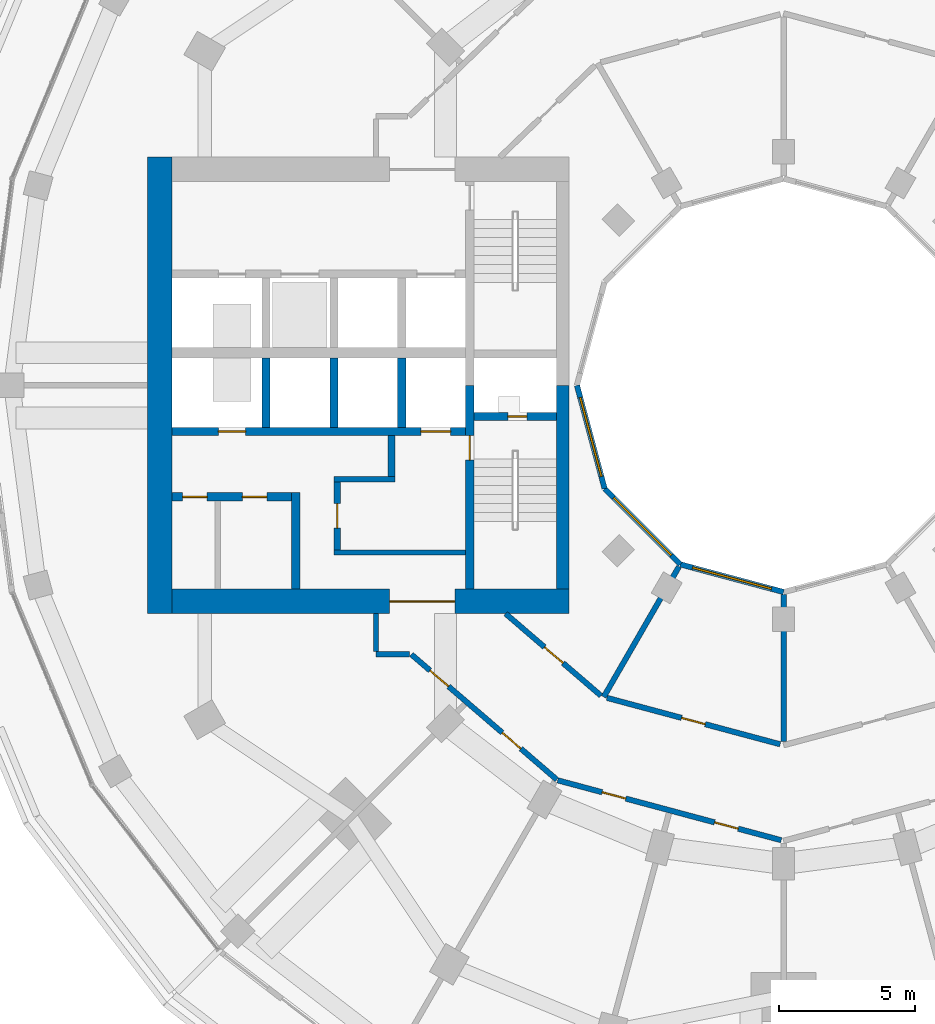
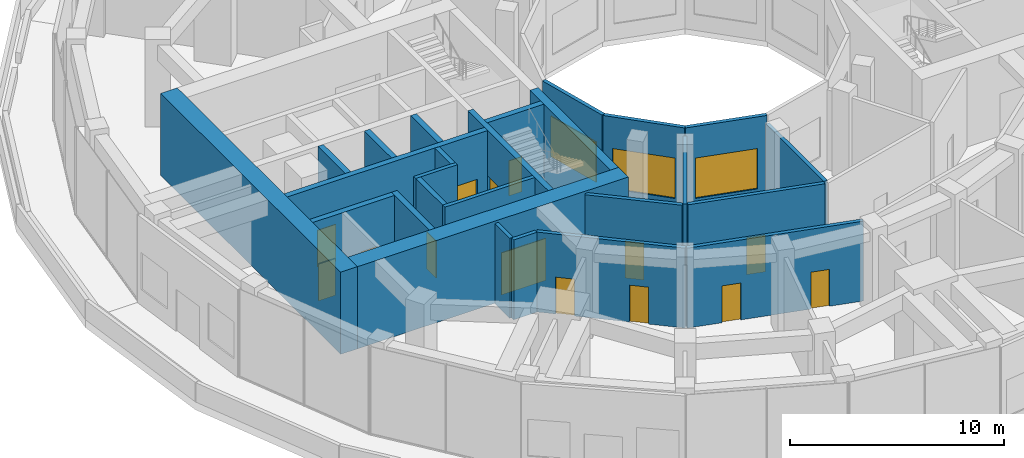
# One storey, part 12 of 19: 26 walls, 14 doors, 3 windows, 17 openings.
"""IFC4 building model written with IfcOpenShell, lengths in metres."""

from ifc_helpers import new_model, si_unit, direction, frame, frame_2d, origin, place, context, subcontext, project, spatial, rectangle, extrude, material, layer, layer_set, type_object, element, fill, save


model = new_model("IFC4")

# Units and contexts
model_context = context("Model", 3, precision=1e-05, world=origin(), true_north=direction((0.0, 1.0)))
body_context = subcontext(model_context, "Body", "Model", "MODEL_VIEW")
ifc_project = project(units=[si_unit("LENGTHUNIT", "METRE"), si_unit("AREAUNIT", "SQUARE_METRE"), si_unit("VOLUMEUNIT", "CUBIC_METRE"), si_unit("PLANEANGLEUNIT", "RADIAN"), si_unit("MASSUNIT", "GRAM", prefix="KILO")], contexts=[model_context])

# Site, building, storey
site_placement = place(None, origin())
site = spatial("IfcSite", under=ifc_project, at=site_placement, CompositionType="ELEMENT")
building_placement = place(site_placement, origin())
building = spatial("IfcBuilding", under=site, at=building_placement, Name="Torre Brocal", CompositionType="ELEMENT")
storey_placement = place(building_placement, frame((0.0, 0.0, 23.800048828125)))
storey = spatial("IfcBuildingStorey", under=building, at=storey_placement, Name="L04", CompositionType="ELEMENT", Elevation=23.800048828125)

# Walls
ifc_material_1 = material(Name="Concrete C80", Category="concrete")
ifc_layer_1 = layer(ifc_material_1, 0.199951171875)
ifc_layer_set_1 = layer_set([ifc_layer_1], Name="Concrete C80")
wall_type_1 = type_object("IfcWallType", Name="CORE WALL 200 C80", PredefinedType="SHEAR", material=ifc_layer_set_1)
wall_1_placement = place(storey_placement, frame((68.300048828125, 68.85009765625, 0.0), z_axis=(0.0, 0.0, 1.0), x_axis=(-1.0, 0.0, 0.0)))
element("IfcWall", 1, at=wall_1_placement, inside=storey, type_object=wall_type_1, Name="Wall CW200-80", PredefinedType="SHEAR", context=body_context, shape_type="SweptSolid", body=[
    extrude(rectangle(XDim=4.85009765625, YDim=0.199951171875, at=frame_2d((2.425048828125, 0.0))), origin(), (0.0, 0.0, 1.0), 4.679931640625),
])
wall_2_placement = place(storey_placement, frame((65.699951171875, 71.550048828125, 0.0), z_axis=(0.0, 0.0, 1.0), x_axis=(-1.0, 0.0, 0.0)))
element("IfcWall", 2, at=wall_2_placement, inside=storey, type_object=wall_type_1, Name="Wall CW200-80", PredefinedType="SHEAR", context=body_context, shape_type="SweptSolid", body=[
    extrude(rectangle(XDim=2.25, YDim=0.199951171875, at=frame_2d((1.125, 0.0))), origin(), (0.0, 0.0, 1.0), 4.679931640625),
])

# Wall, opening, door
ifc_material_2 = material(Name="Concrete C80", Category="concrete")
ifc_layer_2 = layer(ifc_material_2, 0.25)
ifc_layer_set_2 = layer_set([ifc_layer_2], Name="Concrete C80")
wall_type_2 = type_object("IfcWallType", Name="CORE WALL 250 C80", PredefinedType="SHEAR", material=ifc_layer_set_2)
wall_3_placement = place(storey_placement, frame((63.574951171875, 71.449951171875, 0.0), z_axis=(0.0, 0.0, 1.0), x_axis=(0.0, -1.0, 0.0)))
wall_3 = element("IfcWall", 3, at=wall_3_placement, inside=storey, type_object=wall_type_2, Name="Wall CW250-80", PredefinedType="SHEAR", context=body_context, shape_type="SweptSolid", body=[
    extrude(rectangle(XDim=2.5, YDim=0.25, at=frame_2d((1.25, 0.0))), origin(), (0.0, 0.0, 1.0), 4.679931640625),
])
opening_1_placement = place(wall_3_placement, frame((0.800048828125, 0.0, 0.0)))
opening_1 = element("IfcOpeningElement", 4, at=opening_1_placement, cuts=wall_3, Name="Opening W-D15", PredefinedType="OPENING", context=body_context, shape_type="SweptSolid", body=[
    extrude(rectangle(XDim=0.89990234375, YDim=2.10009765625, at=frame_2d((0.449951171875, 1.050048828125))), frame((0.0, 0.135009765625, 0.0), z_axis=(0.0, -1.0, 0.0), x_axis=(1.0, 0.0, 0.0)), (0.0, 0.0, 1.0), 0.27001953125),
])
ifc_material_3 = material(Name="Steel A653", Category="steel")
door_type_1 = type_object("IfcDoorType", Name="LOBBY DOOR FD120 900X2100", OperationType="SINGLE_SWING_RIGHT", PredefinedType="DOOR", material=ifc_material_3)
door_1_placement = place(opening_1_placement, origin())
door_1 = element("IfcDoor", 5, at=door_1_placement, inside=storey, type_object=door_type_1, Name="Door W-D15", OperationType="SINGLE_SWING_LEFT", OverallHeight=2.10009765625, OverallWidth=0.89990234375, PredefinedType="DOOR", context=body_context, shape_type="SweptSolid", body=[
    extrude(rectangle(XDim=0.89990234375, YDim=2.10009765625, at=frame_2d((0.449951171875, 1.050048828125))), frame((0.0, 0.02490234375, 0.0), z_axis=(0.0, -1.0, 0.0), x_axis=(1.0, 0.0, 0.0)), (0.0, 0.0, 1.0), 0.050048828125),
])
fill(opening_1, door_1)

# Wall
wall_4_placement = place(storey_placement, frame((65.574951171875, 73.14990234375, 0.0), z_axis=(0.0, 0.0, 1.0), x_axis=(0.0, -1.0, 0.0)))
element("IfcWall", 6, at=wall_4_placement, inside=storey, type_object=wall_type_2, Name="Wall CW250-80", PredefinedType="SHEAR", context=body_context, shape_type="SweptSolid", body=[
    extrude(rectangle(XDim=1.5, YDim=0.25, at=frame_2d((0.75, 0.0))), origin(), (0.0, 0.0, 1.0), 4.679931640625),
])

# Wall, opening, door
ifc_material_4 = material(Name="Concrete C80", Category="concrete")
ifc_layer_3 = layer(ifc_material_4, 0.300048828125)
ifc_layer_set_3 = layer_set([ifc_layer_3], Name="Concrete C80")
wall_type_3 = type_object("IfcWallType", Name="CORE WALL 300 C80", PredefinedType="SHEAR", material=ifc_layer_set_3)
wall_5_placement = place(storey_placement, frame((68.449951171875, 75.0, 0.0), z_axis=(0.0, 0.0, 1.0), x_axis=(0.0, -1.0, 0.0)))
wall_5 = element("IfcWall", 7, at=wall_5_placement, inside=storey, type_object=wall_type_3, Name="Wall CW300-80", PredefinedType="SHEAR", context=body_context, shape_type="SweptSolid", body=[
    extrude(rectangle(XDim=7.5, YDim=0.300048828125, at=frame_2d((3.75, 0.0))), origin(), (0.0, 0.0, 1.0), 4.679931640625),
])
opening_2_placement = place(wall_5_placement, frame((1.85009765625, 0.0, 0.0)))
opening_2 = element("IfcOpeningElement", 8, at=opening_2_placement, cuts=wall_5, Name="Opening W-D02", PredefinedType="OPENING", context=body_context, shape_type="SweptSolid", body=[
    extrude(rectangle(XDim=0.89990234375, YDim=2.10009765625, at=frame_2d((0.449951171875, 1.050048828125))), frame((0.0, 0.159912109375, 0.0), z_axis=(0.0, -1.0, 0.0), x_axis=(1.0, 0.0, 0.0)), (0.0, 0.0, 1.0), 0.320068359375),
])
ifc_material_5 = material(Name="Steel A653", Category="steel")
door_type_2 = type_object("IfcDoorType", Name="STAIR DOOR FD120 900X2100", OperationType="SINGLE_SWING_RIGHT", PredefinedType="DOOR", material=ifc_material_5)
door_2_placement = place(opening_2_placement, origin())
door_2 = element("IfcDoor", 9, at=door_2_placement, inside=storey, type_object=door_type_2, Name="Door W-D02", OperationType="SINGLE_SWING_LEFT", OverallHeight=2.10009765625, OverallWidth=0.89990234375, PredefinedType="DOOR", context=body_context, shape_type="SweptSolid", body=[
    extrude(rectangle(XDim=0.89990234375, YDim=2.10009765625, at=frame_2d((0.449951171875, 1.050048828125))), frame((0.0, 0.02490234375, 0.0), z_axis=(0.0, -1.0, 0.0), x_axis=(1.0, 0.0, 0.0)), (0.0, 0.0, 1.0), 0.050048828125),
])
fill(opening_2, door_2)

wall_6_placement = place(storey_placement, frame((71.64990234375, 73.85009765625, 0.0), z_axis=(0.0, 0.0, 1.0), x_axis=(-1.0, 0.0, 0.0)))
wall_6 = element("IfcWall", 10, at=wall_6_placement, inside=storey, type_object=wall_type_3, Name="Wall CW300-80", PredefinedType="SHEAR", context=body_context, shape_type="SweptSolid", body=[
    extrude(rectangle(XDim=3.0498046875, YDim=0.300048828125, at=frame_2d((1.52490234375, 0.0))), origin(), (0.0, 0.0, 1.0), 4.679931640625),
])
opening_3_placement = place(wall_6_placement, frame((1.10009765625, 0.0, 0.0)))
opening_3 = element("IfcOpeningElement", 11, at=opening_3_placement, cuts=wall_6, Name="Opening W-D01", PredefinedType="OPENING", context=body_context, shape_type="SweptSolid", body=[
    extrude(rectangle(XDim=0.699951171875, YDim=2.0, at=frame_2d((0.35009765625, 1.0))), frame((0.0, 0.159912109375, 0.0), z_axis=(0.0, -1.0, 0.0), x_axis=(1.0, 0.0, 0.0)), (0.0, 0.0, 1.0), 0.320068359375),
])
ifc_material_6 = material(Name="Steel A653", Category="steel")
door_type_3 = type_object("IfcDoorType", Name="RISER DOOR FD120 700X2000", OperationType="SINGLE_SWING_LEFT", PredefinedType="DOOR", material=ifc_material_6)
door_3_placement = place(opening_3_placement, frame((0.699951171875, 0.0, 0.0), z_axis=(0.0, 0.0, 1.0), x_axis=(-1.0, 0.0, 0.0)))
door_3 = element("IfcDoor", 12, at=door_3_placement, inside=storey, type_object=door_type_3, Name="Door W-D01", OperationType="SINGLE_SWING_RIGHT", OverallHeight=2.0, OverallWidth=0.699951171875, PredefinedType="DOOR", context=body_context, shape_type="SweptSolid", body=[
    extrude(rectangle(XDim=0.699951171875, YDim=2.0, at=frame_2d((0.35009765625, 1.0))), frame((0.0, 0.02490234375, 0.0), z_axis=(0.0, -1.0, 0.0), x_axis=(1.0, 0.0, 0.0)), (0.0, 0.0, 1.0), 0.050048828125),
])
fill(opening_3, door_3)

# Wall, openings, doors
wall_7_placement = place(storey_placement, frame((68.300048828125, 73.300048828125, 0.0), z_axis=(0.0, 0.0, 1.0), x_axis=(-1.0, 0.0, 0.0)))
wall_7 = element("IfcWall", 13, at=wall_7_placement, inside=storey, type_object=wall_type_3, Name="Wall CW300-80", PredefinedType="SHEAR", context=body_context, shape_type="SweptSolid", body=[
    extrude(rectangle(XDim=10.800048828125, YDim=0.300048828125, at=frame_2d((5.39990234375, 0.0))), origin(), (0.0, 0.0, 1.0), 4.679931640625),
])
opening_4_placement = place(wall_7_placement, frame((0.550048828125, 0.0, 0.0)))
opening_4 = element("IfcOpeningElement", 14, at=opening_4_placement, cuts=wall_7, Name="Opening LD", PredefinedType="OPENING", context=body_context, shape_type="SweptSolid", body=[
    extrude(rectangle(XDim=1.10009765625, YDim=2.10009765625, at=frame_2d((0.550048828125, 1.050048828125))), frame((0.0, 0.159912109375, 0.0), z_axis=(0.0, -1.0, 0.0), x_axis=(1.0, 0.0, 0.0)), (0.0, 0.0, 1.0), 0.320068359375),
])
opening_5_placement = place(wall_7_placement, frame((8.10009765625, 0.0, 0.0)))
opening_5 = element("IfcOpeningElement", 15, at=opening_5_placement, cuts=wall_7, Name="Opening LD10", PredefinedType="OPENING", context=body_context, shape_type="SweptSolid", body=[
    extrude(rectangle(XDim=1.0, YDim=2.10009765625, at=frame_2d((0.5, 1.050048828125))), frame((0.0, 0.159912109375, 0.0), z_axis=(0.0, -1.0, 0.0), x_axis=(1.0, 0.0, 0.0)), (0.0, 0.0, 1.0), 0.320068359375),
])
ifc_material_7 = material(Name="Stainless steel AISI 316", Category="steel")
door_type_4 = type_object("IfcDoorType", Name="LIFT LANDING DOOR 1000X2100", OperationType="DOUBLE_DOOR_SLIDING", PredefinedType="DOOR", material=ifc_material_7)
door_4_placement = place(opening_5_placement, origin())
door_4 = element("IfcDoor", 16, at=door_4_placement, inside=storey, type_object=door_type_4, Name="Door LD10", OperationType="DOUBLE_DOOR_SLIDING", OverallHeight=2.10009765625, OverallWidth=1.0, PredefinedType="DOOR", context=body_context, shape_type="SweptSolid", body=[
    extrude(rectangle(XDim=1.0, YDim=2.10009765625, at=frame_2d((0.5, 1.050048828125))), frame((0.0, 0.02490234375, 0.0), z_axis=(0.0, -1.0, 0.0), x_axis=(1.0, 0.0, 0.0)), (0.0, 0.0, 1.0), 0.050048828125),
])
fill(opening_5, door_4)
ifc_material_8 = material(Name="Stainless steel AISI 316", Category="steel")
door_type_5 = type_object("IfcDoorType", Name="LIFT LANDING DOOR 1100X2100", OperationType="DOUBLE_DOOR_SLIDING", PredefinedType="DOOR", material=ifc_material_8)
door_5_placement = place(opening_4_placement, origin())
door_5 = element("IfcDoor", 17, at=door_5_placement, inside=storey, type_object=door_type_5, Name="Door LD", OperationType="DOUBLE_DOOR_SLIDING", OverallHeight=2.10009765625, OverallWidth=1.10009765625, PredefinedType="DOOR", context=body_context, shape_type="SweptSolid", body=[
    extrude(rectangle(XDim=1.10009765625, YDim=2.10009765625, at=frame_2d((0.550048828125, 1.050048828125))), frame((0.0, 0.02490234375, 0.0), z_axis=(0.0, -1.0, 0.0), x_axis=(1.0, 0.0, 0.0)), (0.0, 0.0, 1.0), 0.050048828125),
])
fill(opening_4, door_5)

# Walls
for number, where, z_axis, x_axis, name in (
    (18, (65.949951171875, 76.0, 0.0), (0.0, 0.0, 1.0), (0.0, -1.0, 0.0), "Wall CW300-80"),
    (19, (63.449951171875, 76.0, 0.0), (0.0, 0.0, 1.0), (0.0, -1.0, 0.0), "Wall CW300-80"),
    (20, (60.949951171875, 76.0, 0.0), (0.0, 0.0, 1.0), (0.0, -1.0, 0.0), "Wall CW300-80"),
):
    element("IfcWall", number, at=place(storey_placement, frame(where, z_axis=z_axis, x_axis=x_axis)), inside=storey, type_object=wall_type_3, Name=name, PredefinedType="SHEAR", context=body_context, shape_type="SweptSolid", body=[
        extrude(rectangle(XDim=2.550048828125, YDim=0.300048828125, at=frame_2d((1.27490234375, 0.0))), origin(), (0.0, 0.0, 1.0), 4.679931640625),
    ])
wall_8_placement = place(storey_placement, frame((62.050048828125, 71.050048828125, 0.0), z_axis=(0.0, 0.0, 1.0), x_axis=(0.0, -1.0, 0.0)))
element("IfcWall", 21, at=wall_8_placement, inside=storey, type_object=wall_type_3, Name="Wall CW300-80", PredefinedType="SHEAR", context=body_context, shape_type="SweptSolid", body=[
    extrude(rectangle(XDim=3.550048828125, YDim=0.300048828125, at=frame_2d((1.77490234375, 0.0))), origin(), (0.0, 0.0, 1.0), 4.679931640625),
])

# Wall, openings, doors
wall_9_placement = place(storey_placement, frame((61.89990234375, 70.89990234375, 0.0), z_axis=(0.0, 0.0, 1.0), x_axis=(-1.0, 0.0, 0.0)))
wall_9 = element("IfcWall", 22, at=wall_9_placement, inside=storey, type_object=wall_type_3, Name="Wall CW300-80", PredefinedType="SHEAR", context=body_context, shape_type="SweptSolid", body=[
    extrude(rectangle(XDim=4.39990234375, YDim=0.300048828125, at=frame_2d((2.199951171875, 0.0))), origin(), (0.0, 0.0, 1.0), 4.679931640625),
])
opening_6_placement = place(wall_9_placement, frame((0.9140625, 0.0, 0.0)))
opening_6 = element("IfcOpeningElement", 23, at=opening_6_placement, cuts=wall_9, Name="Opening W-D05", PredefinedType="OPENING", context=body_context, shape_type="SweptSolid", body=[
    extrude(rectangle(XDim=0.89990234375, YDim=2.10009765625, at=frame_2d((0.449951171875, 1.050048828125))), frame((0.0, 0.159912109375, 0.0), z_axis=(0.0, -1.0, 0.0), x_axis=(1.0, 0.0, 0.0)), (0.0, 0.0, 1.0), 0.320068359375),
])
opening_7_placement = place(wall_9_placement, frame((3.114013671875, 0.0, 0.0)))
opening_7 = element("IfcOpeningElement", 24, at=opening_7_placement, cuts=wall_9, Name="Opening W-D06", PredefinedType="OPENING", context=body_context, shape_type="SweptSolid", body=[
    extrude(rectangle(XDim=0.89990234375, YDim=2.10009765625, at=frame_2d((0.449951171875, 1.050048828125))), frame((0.0, 0.159912109375, 0.0), z_axis=(0.0, -1.0, 0.0), x_axis=(1.0, 0.0, 0.0)), (0.0, 0.0, 1.0), 0.320068359375),
])
ifc_material_9 = material(Name="Steel A653", Category="steel")
door_type_6 = type_object("IfcDoorType", Name="ROOM DOOR FD30S 900X2100", OperationType="SINGLE_SWING_LEFT", PredefinedType="DOOR", material=ifc_material_9)
door_6_placement = place(opening_6_placement, origin())
door_6 = element("IfcDoor", 25, at=door_6_placement, inside=storey, type_object=door_type_6, Name="Door W-D05", OperationType="SINGLE_SWING_RIGHT", OverallHeight=2.10009765625, OverallWidth=0.89990234375, PredefinedType="DOOR", context=body_context, shape_type="SweptSolid", body=[
    extrude(rectangle(XDim=0.89990234375, YDim=2.10009765625, at=frame_2d((0.449951171875, 1.050048828125))), frame((0.0, 0.02490234375, 0.0), z_axis=(0.0, -1.0, 0.0), x_axis=(1.0, 0.0, 0.0)), (0.0, 0.0, 1.0), 0.050048828125),
])
fill(opening_6, door_6)
door_7_placement = place(opening_7_placement, origin())
door_7 = element("IfcDoor", 26, at=door_7_placement, inside=storey, type_object=door_type_6, Name="Door W-D06", OperationType="SINGLE_SWING_LEFT", OverallHeight=2.10009765625, OverallWidth=0.89990234375, PredefinedType="DOOR", context=body_context, shape_type="SweptSolid", body=[
    extrude(rectangle(XDim=0.89990234375, YDim=2.10009765625, at=frame_2d((0.449951171875, 1.050048828125))), frame((0.0, 0.02490234375, 0.0), z_axis=(0.0, -1.0, 0.0), x_axis=(1.0, 0.0, 0.0)), (0.0, 0.0, 1.0), 0.050048828125),
])
fill(opening_7, door_7)

# Wall
ifc_material_10 = material(Name="Concrete C80", Category="concrete")
ifc_layer_4 = layer(ifc_material_10, 0.449951171875)
ifc_layer_set_4 = layer_set([ifc_layer_4], Name="Concrete C80")
wall_type_4 = type_object("IfcWallType", Name="CORE WALL 450 C80", PredefinedType="SHEAR", material=ifc_layer_set_4)
wall_10_placement = place(storey_placement, frame((71.875, 75.0, 0.0), z_axis=(0.0, 0.0, 1.0), x_axis=(0.0, -1.0, 0.0)))
element("IfcWall", 27, at=wall_10_placement, inside=storey, type_object=wall_type_4, Name="Wall CW450-80", PredefinedType="SHEAR", context=body_context, shape_type="SweptSolid", body=[
    extrude(rectangle(XDim=7.5, YDim=0.449951171875, at=frame_2d((3.75, 0.0))), origin(), (0.0, 0.0, 1.0), 4.679931640625),
])

# Wall, opening, door
ifc_material_11 = material(Name="Concrete C80", Category="concrete")
ifc_layer_5 = layer(ifc_material_11, 0.89990234375)
ifc_layer_set_5 = layer_set([ifc_layer_5], Name="Concrete C80")
wall_type_5 = type_object("IfcWallType", Name="CORE WALL 900 C80", PredefinedType="SHEAR", material=ifc_layer_set_5)
wall_11_placement = place(storey_placement, frame((72.10009765625, 67.050048828125, 0.0), z_axis=(0.0, 0.0, 1.0), x_axis=(-1.0, 0.0, 0.0)))
wall_11 = element("IfcWall", 28, at=wall_11_placement, inside=storey, type_object=wall_type_5, Name="Wall CW900-80", PredefinedType="SHEAR", context=body_context, shape_type="SweptSolid", body=[
    extrude(rectangle(XDim=14.60009765625, YDim=0.89990234375, at=frame_2d((7.300048828125, 0.0))), origin(), (0.0, 0.0, 1.0), 4.679931640625),
])
opening_8_placement = place(wall_11_placement, frame((4.199951171875, 0.0, 0.0)))
opening_8 = element("IfcOpeningElement", 29, at=opening_8_placement, cuts=wall_11, Name="Opening W-D24", PredefinedType="OPENING", context=body_context, shape_type="SweptSolid", body=[
    extrude(rectangle(XDim=2.39990234375, YDim=2.39990234375, at=frame_2d((1.199951171875, 1.199951171875))), frame((0.0, 0.4599609375, 0.0), z_axis=(0.0, -1.0, 0.0), x_axis=(1.0, 0.0, 0.0)), (0.0, 0.0, 1.0), 0.919921875),
])
ifc_material_12 = material(Name="Steel A653", Category="steel")
door_type_7 = type_object("IfcDoorType", Name="DOUBLE FIRE DOOR FD90 2400X2400", OperationType="DOUBLE_DOOR_SINGLE_SWING", PredefinedType="DOOR", material=ifc_material_12)
door_8_placement = place(opening_8_placement, frame((2.39990234375, 0.0, 0.0), z_axis=(0.0, 0.0, 1.0), x_axis=(-1.0, 0.0, 0.0)))
door_8 = element("IfcDoor", 30, at=door_8_placement, inside=storey, type_object=door_type_7, Name="Door W-D24", OperationType="DOUBLE_DOOR_SINGLE_SWING", OverallHeight=2.39990234375, OverallWidth=2.39990234375, PredefinedType="DOOR", context=body_context, shape_type="SweptSolid", body=[
    extrude(rectangle(XDim=2.39990234375, YDim=2.39990234375, at=frame_2d((1.199951171875, 1.199951171875))), frame((0.0, 0.02490234375, 0.0), z_axis=(0.0, -1.0, 0.0), x_axis=(1.0, 0.0, 0.0)), (0.0, 0.0, 1.0), 0.050048828125),
])
fill(opening_8, door_8)

# Walls
wall_12_placement = place(storey_placement, frame((57.050048828125, 83.39990234375, 0.0), z_axis=(0.0, 0.0, 1.0), x_axis=(0.0, -1.0, 0.0)))
element("IfcWall", 31, at=wall_12_placement, inside=storey, type_object=wall_type_5, Name="Wall CW900-80", PredefinedType="SHEAR", context=body_context, shape_type="SweptSolid", body=[
    extrude(rectangle(XDim=16.7998046875, YDim=0.89990234375, at=frame_2d((8.39990234375, 0.0))), origin(), (0.0, 0.0, 1.0), 4.679931640625),
])
ifc_material_13 = material(Name="Gypsum board", Category="Gypsum")
ifc_layer_6 = layer(ifc_material_13, 0.199951171875)
ifc_layer_set_6 = layer_set([ifc_layer_6], Name="Gypsum board")
wall_type_6 = type_object("IfcWallType", Name="PARTITION 200 EI60", PredefinedType="PARTITIONING", material=ifc_layer_set_6)
wall_13_placement = place(storey_placement, frame((65.0, 65.199951171875, 0.0), z_axis=(0.0, 0.0, 1.0), x_axis=(0.0, 1.0, 0.0)))
element("IfcWall", 32, at=wall_13_placement, inside=storey, type_object=wall_type_6, Name="GUESTROOM CORRIDOR WALL", PredefinedType="PARTITIONING", context=body_context, shape_type="SweptSolid", body=[
    extrude(rectangle(XDim=1.399169921875, YDim=0.199951171875, at=frame_2d((0.69970703125, 0.0))), origin(), (0.0, 0.0, 1.0), 4.550048828125),
])
wall_14_placement = place(storey_placement, frame((65.0, 65.10009765625, 0.0), z_axis=(0.0, 0.0, 1.0), x_axis=(1.0, 0.0, 0.0)))
element("IfcWall", 33, at=wall_14_placement, inside=storey, type_object=wall_type_6, Name="GUESTROOM CORRIDOR WALL", PredefinedType="PARTITIONING", context=body_context, shape_type="SweptSolid", body=[
    extrude(rectangle(XDim=1.241943359375, YDim=0.199951171875, at=frame_2d((0.62109375, 0.0))), origin(), (0.0, 0.0, 1.0), 4.550048828125),
])

# Wall, openings, doors
wall_15_placement = place(storey_placement, frame((66.30224609375, 65.10009765625, 0.0), z_axis=(0.0, 0.0, 1.0), x_axis=(0.757895579626, -0.652375881209, 0.0)))
wall_15 = element("IfcWall", 34, at=wall_15_placement, inside=storey, type_object=wall_type_6, Name="GUESTROOM CORRIDOR WALL", PredefinedType="PARTITIONING", context=body_context, shape_type="SweptSolid", body=[
    extrude(rectangle(XDim=7.0615234375, YDim=0.199951171875, at=frame_2d((3.53076171875, 0.0))), origin(), (0.0, 0.0, 1.0), 4.550048828125),
])
opening_9_placement = place(wall_15_placement, frame((4.414306640625, 0.0, 0.0)))
opening_9 = element("IfcOpeningElement", 35, at=opening_9_placement, cuts=wall_15, Name="Opening PD4-D18", PredefinedType="OPENING", context=body_context, shape_type="SweptSolid", body=[
    extrude(rectangle(XDim=0.89990234375, YDim=2.10009765625, at=frame_2d((0.449951171875, 1.050048828125))), frame((0.0, 0.10986328125, 0.0), z_axis=(0.0, -1.0, 0.0), x_axis=(1.0, 0.0, 0.0)), (0.0, 0.0, 1.0), 0.219970703125),
])
opening_10_placement = place(wall_15_placement, frame((0.906005859375, 0.0, 0.0)))
opening_10 = element("IfcOpeningElement", 36, at=opening_10_placement, cuts=wall_15, Name="Opening PD4-D19", PredefinedType="OPENING", context=body_context, shape_type="SweptSolid", body=[
    extrude(rectangle(XDim=0.89990234375, YDim=2.10009765625, at=frame_2d((0.449951171875, 1.050048828125))), frame((0.0, 0.10986328125, 0.0), z_axis=(0.0, -1.0, 0.0), x_axis=(1.0, 0.0, 0.0)), (0.0, 0.0, 1.0), 0.219970703125),
])
ifc_material_14 = material(Name="Timber", Category="wood")
door_type_8 = type_object("IfcDoorType", Name="ROOM DOOR 900X2100", OperationType="SINGLE_SWING_LEFT", PredefinedType="DOOR", material=ifc_material_14)
door_9_placement = place(opening_9_placement, frame((0.89990234375, 0.0, 0.0), z_axis=(0.0, 0.0, 1.0), x_axis=(-1.0, 0.0, 0.0)))
door_9 = element("IfcDoor", 37, at=door_9_placement, inside=storey, type_object=door_type_8, Name="PD4-D18", OperationType="SINGLE_SWING_RIGHT", OverallHeight=2.10009765625, OverallWidth=0.89990234375, PredefinedType="DOOR", context=body_context, shape_type="SweptSolid", body=[
    extrude(rectangle(XDim=0.89990234375, YDim=2.10009765625, at=frame_2d((0.449951171875, 1.050048828125))), frame((0.0, 0.02490234375, 0.0), z_axis=(0.0, -1.0, 0.0), x_axis=(1.0, 0.0, 0.0)), (0.0, 0.0, 1.0), 0.050048828125),
])
fill(opening_9, door_9)
door_10_placement = place(opening_10_placement, frame((0.89990234375, 0.0, 0.0), z_axis=(0.0, 0.0, 1.0), x_axis=(-1.0, 0.0, 0.0)))
door_10 = element("IfcDoor", 38, at=door_10_placement, inside=storey, type_object=door_type_8, Name="PD4-D19", OperationType="SINGLE_SWING_LEFT", OverallHeight=2.10009765625, OverallWidth=0.89990234375, PredefinedType="DOOR", context=body_context, shape_type="SweptSolid", body=[
    extrude(rectangle(XDim=0.89990234375, YDim=2.10009765625, at=frame_2d((0.449951171875, 1.050048828125))), frame((0.0, 0.02490234375, 0.0), z_axis=(0.0, -1.0, 0.0), x_axis=(1.0, 0.0, 0.0)), (0.0, 0.0, 1.0), 0.050048828125),
])
fill(opening_10, door_10)

# Wall, opening, door
wall_16_placement = place(storey_placement, frame((69.77099609375, 66.60009765625, 0.0), z_axis=(0.0, 0.0, 1.0), x_axis=(0.758040611529, -0.652207352974, 0.0)))
wall_16 = element("IfcWall", 39, at=wall_16_placement, inside=storey, type_object=wall_type_6, Name="CORRIDOR WALL", PredefinedType="PARTITIONING", context=body_context, shape_type="SweptSolid", body=[
    extrude(rectangle(XDim=4.625244140625, YDim=0.199951171875, at=frame_2d((2.3125, 0.0))), origin(), (0.0, 0.0, 1.0), 4.550048828125),
])
opening_11_placement = place(wall_16_placement, frame((1.887451171875, 0.0, 0.0)))
opening_11 = element("IfcOpeningElement", 40, at=opening_11_placement, cuts=wall_16, Name="Opening PD4-D23", PredefinedType="OPENING", context=body_context, shape_type="SweptSolid", body=[
    extrude(rectangle(XDim=0.89990234375, YDim=2.10009765625, at=frame_2d((0.449951171875, 1.050048828125))), frame((0.0, 0.10986328125, 0.0), z_axis=(0.0, -1.0, 0.0), x_axis=(1.0, 0.0, 0.0)), (0.0, 0.0, 1.0), 0.219970703125),
])
door_11_placement = place(opening_11_placement, origin())
door_11 = element("IfcDoor", 41, at=door_11_placement, inside=storey, type_object=door_type_8, Name="PD4-D23", OperationType="SINGLE_SWING_LEFT", OverallHeight=2.10009765625, OverallWidth=0.89990234375, PredefinedType="DOOR", context=body_context, shape_type="SweptSolid", body=[
    extrude(rectangle(XDim=0.89990234375, YDim=2.10009765625, at=frame_2d((0.449951171875, 1.050048828125))), frame((0.0, 0.02490234375, 0.0), z_axis=(0.0, -1.0, 0.0), x_axis=(1.0, 0.0, 0.0)), (0.0, 0.0, 1.0), 0.050048828125),
])
fill(opening_11, door_11)

# Wall, openings, doors
wall_17_placement = place(storey_placement, frame((71.68505859375, 60.46826171875, 0.0), z_axis=(0.0, 0.0, 1.0), x_axis=(0.96590736437, -0.258887936097, 0.0)))
wall_17 = element("IfcWall", 42, at=wall_17_placement, inside=storey, type_object=wall_type_6, Name="CORRIDOR WALL", PredefinedType="PARTITIONING", context=body_context, shape_type="SweptSolid", body=[
    extrude(rectangle(XDim=8.5185546875, YDim=0.199951171875, at=frame_2d((4.25927734375, 0.0))), origin(), (0.0, 0.0, 1.0), 4.550048828125),
])
opening_12_placement = place(wall_17_placement, frame((5.9794921875, 0.0, 0.0)))
opening_12 = element("IfcOpeningElement", 43, at=opening_12_placement, cuts=wall_17, Name="Opening PD4-D16", PredefinedType="OPENING", context=body_context, shape_type="SweptSolid", body=[
    extrude(rectangle(XDim=0.89990234375, YDim=2.10009765625, at=frame_2d((0.449951171875, 1.050048828125))), frame((0.0, 0.10986328125, 0.0), z_axis=(0.0, -1.0, 0.0), x_axis=(1.0, 0.0, 0.0)), (0.0, 0.0, 1.0), 0.219970703125),
])
opening_13_placement = place(wall_17_placement, frame((1.695068359375, 0.0, 0.0)))
opening_13 = element("IfcOpeningElement", 44, at=opening_13_placement, cuts=wall_17, Name="Opening PD4-D17", PredefinedType="OPENING", context=body_context, shape_type="SweptSolid", body=[
    extrude(rectangle(XDim=0.89990234375, YDim=2.10009765625, at=frame_2d((0.449951171875, 1.050048828125))), frame((0.0, 0.10986328125, 0.0), z_axis=(0.0, -1.0, 0.0), x_axis=(1.0, 0.0, 0.0)), (0.0, 0.0, 1.0), 0.219970703125),
])
door_12_placement = place(opening_12_placement, frame((0.89990234375, 0.0, 0.0), z_axis=(0.0, 0.0, 1.0), x_axis=(-1.0, 0.0, 0.0)))
door_12 = element("IfcDoor", 45, at=door_12_placement, inside=storey, type_object=door_type_8, Name="PD4-D16", OperationType="SINGLE_SWING_RIGHT", OverallHeight=2.10009765625, OverallWidth=0.89990234375, PredefinedType="DOOR", context=body_context, shape_type="SweptSolid", body=[
    extrude(rectangle(XDim=0.89990234375, YDim=2.10009765625, at=frame_2d((0.449951171875, 1.050048828125))), frame((0.0, 0.02490234375, 0.0), z_axis=(0.0, -1.0, 0.0), x_axis=(1.0, 0.0, 0.0)), (0.0, 0.0, 1.0), 0.050048828125),
])
fill(opening_12, door_12)
door_13_placement = place(opening_13_placement, frame((0.89990234375, 0.0, 0.0), z_axis=(0.0, 0.0, 1.0), x_axis=(-1.0, 0.0, 0.0)))
door_13 = element("IfcDoor", 46, at=door_13_placement, inside=storey, type_object=door_type_8, Name="PD4-D17", OperationType="SINGLE_SWING_LEFT", OverallHeight=2.10009765625, OverallWidth=0.89990234375, PredefinedType="DOOR", context=body_context, shape_type="SweptSolid", body=[
    extrude(rectangle(XDim=0.89990234375, YDim=2.10009765625, at=frame_2d((0.449951171875, 1.050048828125))), frame((0.0, 0.02490234375, 0.0), z_axis=(0.0, -1.0, 0.0), x_axis=(1.0, 0.0, 0.0)), (0.0, 0.0, 1.0), 0.050048828125),
])
fill(opening_13, door_13)

# Wall, opening, door
wall_18_placement = place(storey_placement, frame((73.49853515625, 63.501953125, 0.0), z_axis=(0.0, 0.0, 1.0), x_axis=(0.965923617359, -0.258827288799, 0.0)))
wall_18 = element("IfcWall", 47, at=wall_18_placement, inside=storey, type_object=wall_type_6, Name="CORRIDOR WALL", PredefinedType="PARTITIONING", context=body_context, shape_type="SweptSolid", body=[
    extrude(rectangle(XDim=6.600830078125, YDim=0.199951171875, at=frame_2d((3.30029296875, 0.0))), origin(), (0.0, 0.0, 1.0), 4.550048828125),
])
opening_14_placement = place(wall_18_placement, frame((2.843994140625, 0.0, 0.0)))
opening_14 = element("IfcOpeningElement", 48, at=opening_14_placement, cuts=wall_18, Name="Opening PD4-D22", PredefinedType="OPENING", context=body_context, shape_type="SweptSolid", body=[
    extrude(rectangle(XDim=0.89990234375, YDim=2.10009765625, at=frame_2d((0.449951171875, 1.050048828125))), frame((0.0, 0.10986328125, 0.0), z_axis=(0.0, -1.0, 0.0), x_axis=(1.0, 0.0, 0.0)), (0.0, 0.0, 1.0), 0.219970703125),
])
door_14_placement = place(opening_14_placement, origin())
door_14 = element("IfcDoor", 49, at=door_14_placement, inside=storey, type_object=door_type_8, Name="PD4-D22", OperationType="SINGLE_SWING_LEFT", OverallHeight=2.10009765625, OverallWidth=0.89990234375, PredefinedType="DOOR", context=body_context, shape_type="SweptSolid", body=[
    extrude(rectangle(XDim=0.89990234375, YDim=2.10009765625, at=frame_2d((0.449951171875, 1.050048828125))), frame((0.0, 0.02490234375, 0.0), z_axis=(0.0, -1.0, 0.0), x_axis=(1.0, 0.0, 0.0)), (0.0, 0.0, 1.0), 0.050048828125),
])
fill(opening_14, door_14)

# Walls
wall_19_placement = place(storey_placement, frame((73.37939453125, 63.534423828125, 0.0), z_axis=(0.0, 0.0, 1.0), x_axis=(0.500052970826, 0.865994818904, 0.0)))
element("IfcWall", 50, at=wall_19_placement, inside=storey, type_object=wall_type_6, Name="SERVICE ROOM WALL", PredefinedType="PARTITIONING", context=body_context, shape_type="SweptSolid", body=[
    extrude(rectangle(XDim=5.54150390625, YDim=0.199951171875, at=frame_2d((2.770751953125, 0.0))), origin(), (0.0, 0.0, 1.0), 4.550048828125),
])
wall_20_placement = place(storey_placement, frame((80.0, 61.889892578125, 0.0), z_axis=(0.0, 0.0, 1.0), x_axis=(0.0, 1.0, 0.0)))
element("IfcWall", 51, at=wall_20_placement, inside=storey, type_object=wall_type_6, Name="SERVICE ROOM WALL", PredefinedType="PARTITIONING", context=body_context, shape_type="SweptSolid", body=[
    extrude(rectangle(XDim=5.4111328125, YDim=0.199951171875, at=frame_2d((2.70556640625, 0.0))), origin(), (0.0, 0.0, 1.0), 4.550048828125),
])

# Wall, opening, window
ifc_material_15 = material(Name="Concrete C40", Category="concrete")
ifc_layer_7 = layer(ifc_material_15, 0.199951171875)
ifc_layer_set_7 = layer_set([ifc_layer_7], Name="Concrete C40")
wall_type_7 = type_object("IfcWallType", Name="WELL FACADE WALL 200", PredefinedType="NOTDEFINED", material=ifc_layer_set_7)
wall_21_placement = place(storey_placement, frame((72.396484375, 75.0, 0.0), z_axis=(0.0, 0.0, 1.0), x_axis=(0.258789828301, -0.965933654434, 0.0)))
wall_21 = element("IfcWall", 52, at=wall_21_placement, inside=storey, type_object=wall_type_7, Name="WELL FACADE WALL", PredefinedType="NOTDEFINED", context=body_context, shape_type="SweptSolid", body=[
    extrude(rectangle(XDim=3.935791015625, YDim=0.199951171875, at=frame_2d((1.9677734375, 0.0))), origin(), (0.0, 0.0, 1.0), 5.0),
])
opening_15_placement = place(wall_21_placement, frame((0.468017578125, 0.0, 0.89990234375)))
opening_15 = element("IfcOpeningElement", 53, at=opening_15_placement, cuts=wall_21, Name="Opening W1", PredefinedType="OPENING", context=body_context, shape_type="SweptSolid", body=[
    extrude(rectangle(XDim=3.0, YDim=2.300048828125, at=frame_2d((1.5, 1.14990234375))), frame((0.0, 0.10986328125, 0.0), z_axis=(0.0, -1.0, 0.0), x_axis=(1.0, 0.0, 0.0)), (0.0, 0.0, 1.0), 0.219970703125),
])
ifc_material_16 = material(Name="Aluminium and glass", Category="aluminium")
window_type = type_object("IfcWindowType", Name="WELL WINDOW 3000X2300", PartitioningType="SINGLE_PANEL", PredefinedType="WINDOW", material=ifc_material_16)
window_1_placement = place(opening_15_placement, origin())
window_1 = element("IfcWindow", 54, at=window_1_placement, inside=storey, type_object=window_type, Name="WELL WINDOW 3000X2300", OverallHeight=2.300048828125, OverallWidth=3.0, PartitioningType="SINGLE_PANEL", PredefinedType="WINDOW", context=body_context, shape_type="SweptSolid", body=[
    extrude(rectangle(XDim=3.0, YDim=2.300048828125, at=frame_2d((1.5, 1.14990234375))), frame((0.0, 0.030029296875, 0.0), z_axis=(0.0, -1.0, 0.0), x_axis=(1.0, 0.0, 0.0)), (0.0, 0.0, 1.0), 0.06005859375),
])
fill(opening_15, window_1)

wall_22_placement = place(storey_placement, frame((73.4150390625, 71.1982421875, 0.0), z_axis=(0.0, 0.0, 1.0), x_axis=(0.707106781187, -0.707106781187, 0.0)))
wall_22 = element("IfcWall", 55, at=wall_22_placement, inside=storey, type_object=wall_type_7, Name="WELL FACADE WALL", PredefinedType="NOTDEFINED", context=body_context, shape_type="SweptSolid", body=[
    extrude(rectangle(XDim=3.93603515625, YDim=0.199951171875, at=frame_2d((1.968017578125, 0.0))), origin(), (0.0, 0.0, 1.0), 5.0),
])
opening_16_placement = place(wall_22_placement, frame((0.468017578125, 0.0, 0.89990234375)))
opening_16 = element("IfcOpeningElement", 56, at=opening_16_placement, cuts=wall_22, Name="Opening W1", PredefinedType="OPENING", context=body_context, shape_type="SweptSolid", body=[
    extrude(rectangle(XDim=3.0, YDim=2.300048828125, at=frame_2d((1.5, 1.14990234375))), frame((0.0, 0.10986328125, 0.0), z_axis=(0.0, -1.0, 0.0), x_axis=(1.0, 0.0, 0.0)), (0.0, 0.0, 1.0), 0.219970703125),
])
window_2_placement = place(opening_16_placement, origin())
window_2 = element("IfcWindow", 57, at=window_2_placement, inside=storey, type_object=window_type, Name="WELL WINDOW 3000X2300", OverallHeight=2.300048828125, OverallWidth=3.0, PartitioningType="SINGLE_PANEL", PredefinedType="WINDOW", context=body_context, shape_type="SweptSolid", body=[
    extrude(rectangle(XDim=3.0, YDim=2.300048828125, at=frame_2d((1.5, 1.14990234375))), frame((0.0, 0.030029296875, 0.0), z_axis=(0.0, -1.0, 0.0), x_axis=(1.0, 0.0, 0.0)), (0.0, 0.0, 1.0), 0.06005859375),
])
fill(opening_16, window_2)

wall_23_placement = place(storey_placement, frame((76.1982421875, 68.4150390625, 0.0), z_axis=(0.0, 0.0, 1.0), x_axis=(0.965933654434, -0.258789828301, 0.0)))
wall_23 = element("IfcWall", 58, at=wall_23_placement, inside=storey, type_object=wall_type_7, Name="WELL FACADE WALL", PredefinedType="NOTDEFINED", context=body_context, shape_type="SweptSolid", body=[
    extrude(rectangle(XDim=3.935791015625, YDim=0.199951171875, at=frame_2d((1.9677734375, 0.0))), origin(), (0.0, 0.0, 1.0), 5.0),
])
opening_17_placement = place(wall_23_placement, frame((0.468017578125, 0.0, 0.89990234375)))
opening_17 = element("IfcOpeningElement", 59, at=opening_17_placement, cuts=wall_23, Name="Opening W1", PredefinedType="OPENING", context=body_context, shape_type="SweptSolid", body=[
    extrude(rectangle(XDim=3.0, YDim=2.300048828125, at=frame_2d((1.5, 1.14990234375))), frame((0.0, 0.10986328125, 0.0), z_axis=(0.0, -1.0, 0.0), x_axis=(1.0, 0.0, 0.0)), (0.0, 0.0, 1.0), 0.219970703125),
])
window_3_placement = place(opening_17_placement, origin())
window_3 = element("IfcWindow", 60, at=window_3_placement, inside=storey, type_object=window_type, Name="WELL WINDOW 3000X2300", OverallHeight=2.300048828125, OverallWidth=3.0, PartitioningType="SINGLE_PANEL", PredefinedType="WINDOW", context=body_context, shape_type="SweptSolid", body=[
    extrude(rectangle(XDim=3.0, YDim=2.300048828125, at=frame_2d((1.5, 1.14990234375))), frame((0.0, 0.030029296875, 0.0), z_axis=(0.0, -1.0, 0.0), x_axis=(1.0, 0.0, 0.0)), (0.0, 0.0, 1.0), 0.06005859375),
])
fill(opening_17, window_3)

save(model, "model.ifc")
